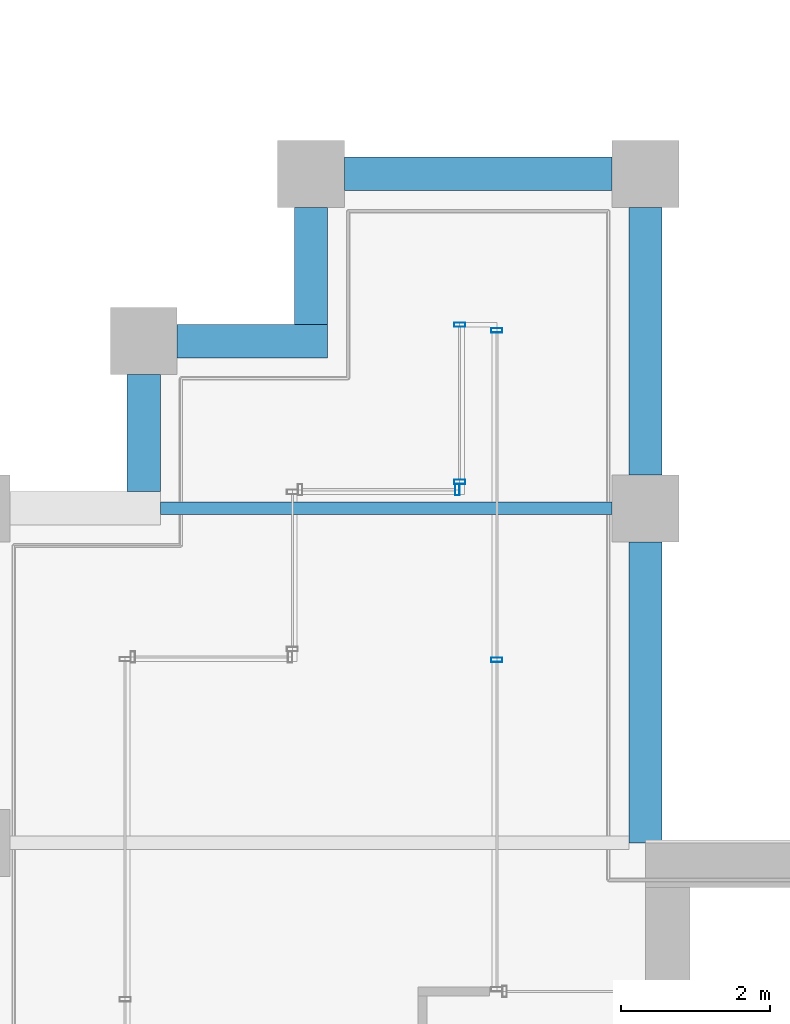
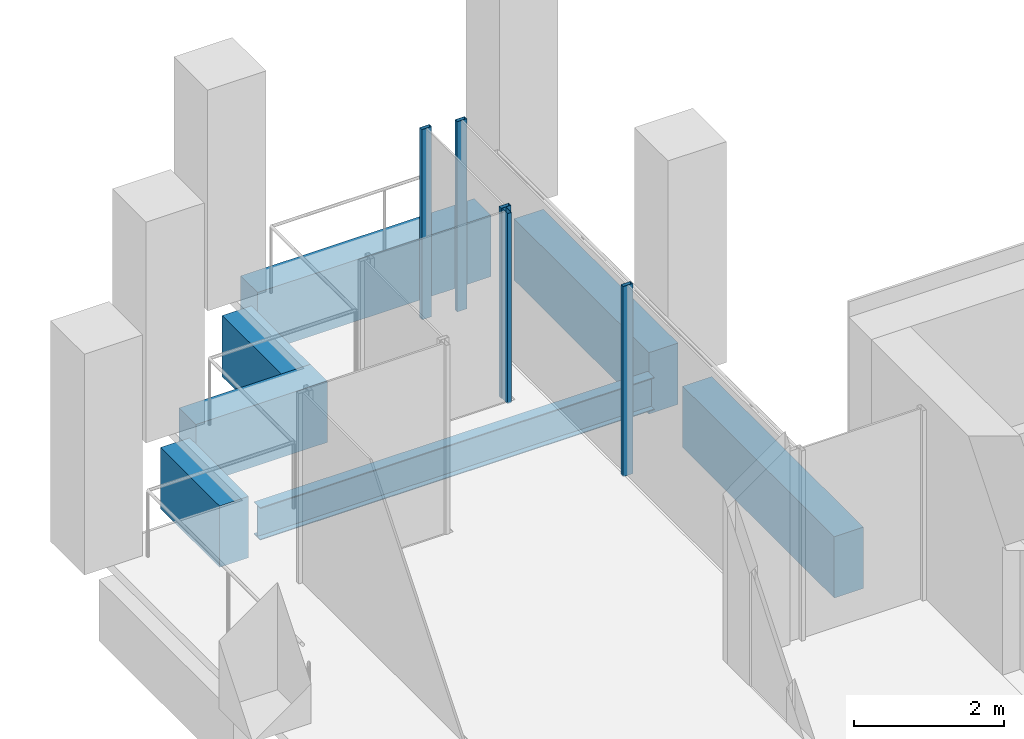
# One storey, part 33 of 40: 7 beams, 5 members, 3 elements without a shape of their own.
"""IFC4 building model written with IfcOpenShell, lengths in metres."""

from ifc_helpers import new_model, si_unit, direction, frame, origin, origin_2d, place, context, subcontext, project, spatial, rectangle, hollow_rectangle, i_section, extrude, material, material_profile, profile_set, type_object, element, aggregate, save


model = new_model("IFC4")

# Units and contexts
model_context = context("Model", 3, precision=1e-05, world=origin(), true_north=direction((0.0, 1.0)))
body_context = subcontext(model_context, "Body", "Model", "MODEL_VIEW")
ifc_project = project(units=[si_unit("LENGTHUNIT", "METRE"), si_unit("AREAUNIT", "SQUARE_METRE"), si_unit("VOLUMEUNIT", "CUBIC_METRE"), si_unit("PLANEANGLEUNIT", "RADIAN"), si_unit("MASSUNIT", "GRAM", prefix="KILO")], contexts=[model_context])

# Site, building, storey
site_placement = place(None, origin())
site = spatial("IfcSite", under=ifc_project, at=site_placement, CompositionType="ELEMENT")
building_placement = place(site_placement, origin())
building = spatial("IfcBuilding", under=site, at=building_placement, Name="Altepetl Exchange Towers", CompositionType="ELEMENT")
storey_placement = place(building_placement, frame((0.0, 0.0, 169.0)))
storey = spatial("IfcBuildingStorey", under=building, at=storey_placement, Name="L42", CompositionType="ELEMENT", Elevation=169.0)

# Beam
ifc_material_1 = material(Name="Steel S355", Category="steel")
ifc_material_profile_1 = material_profile(ifc_material_1, i_section(OverallWidth=0.166015625, OverallDepth=0.529052734375, WebThickness=0.009765625, FlangeThickness=0.013671875, at=origin_2d()), Name="W21X50")
ifc_profile_set_1 = profile_set([ifc_material_profile_1], Name="Steel S355")
beam_type_1 = type_object("IfcBeamType", Name="Floor beam W21X50", PredefinedType="BEAM", material=ifc_profile_set_1)
beam_1_placement = place(storey_placement, frame((96.97509765625, 54.0, -0.41455078125), z_axis=(1.0, 0.0, 0.0), x_axis=(0.0, 1.0, 0.0)))
element("IfcBeam", 1, at=beam_1_placement, inside=storey, type_object=beam_type_1, Name="bm:B:L42:007", PredefinedType="BEAM", context=body_context, shape_type="SweptSolid", body=[
    extrude(i_section(OverallWidth=0.166015625, OverallDepth=0.529052734375, WebThickness=0.009765625, FlangeThickness=0.013671875, at=origin_2d()), origin(), (0.0, 0.0, 1.0), 6.074951171875),
])

# Curtain wall, members
ifc_material_2 = material(Name="Aluminium 6063-T6 glazing", Category="aluminium")
curtain_wall_type = type_object("IfcCurtainWallType", Name="Loggia glazing system", PredefinedType="NOTDEFINED", material=ifc_material_2)
curtain_wall_1_placement = place(storey_placement, origin())
curtain_wall_1 = element("IfcCurtainWall", 2, at=curtain_wall_1_placement, inside=storey, type_object=curtain_wall_type, Name="CW1 run", PredefinedType="NOTDEFINED")
ifc_material_3 = material(Name="Aluminium 6063-T6", Category="aluminium")
ifc_material_profile_2 = material_profile(ifc_material_3, hollow_rectangle(XDim=0.06005859375, YDim=0.14990234375, WallThickness=0.0029296875, at=origin_2d()), Name="Mullion 60x150 aluminium")
ifc_profile_set_2 = profile_set([ifc_material_profile_2], Name="Aluminium 6063-T6")
member_type = type_object("IfcMemberType", Name="Mullion 60x150 aluminium", PredefinedType="MULLION", material=ifc_profile_set_2)
member_1_placement = place(storey_placement, frame((101.5, 51.96240234375, 0.0), z_axis=(0.0, 0.0, 1.0), x_axis=(0.0, 1.0, 0.0)))
member_1 = element("IfcMember", 3, at=member_1_placement, type_object=member_type, Name="MU1 mullion", PredefinedType="MULLION", context=body_context, shape_type="SweptSolid", body=[
    extrude(hollow_rectangle(XDim=0.06005859375, YDim=0.14990234375, WallThickness=0.0029296875, at=origin_2d()), origin(), (0.0, 0.0, 1.0), 3.10009765625),
])
member_2_placement = place(storey_placement, frame((101.5, 56.39501953125, 0.0), z_axis=(0.0, 0.0, 1.0), x_axis=(0.0, 1.0, 0.0)))
member_2 = element("IfcMember", 4, at=member_2_placement, type_object=member_type, Name="MU1 mullion", PredefinedType="MULLION", context=body_context, shape_type="SweptSolid", body=[
    extrude(hollow_rectangle(XDim=0.06005859375, YDim=0.14990234375, WallThickness=0.0029296875, at=origin_2d()), origin(), (0.0, 0.0, 1.0), 3.10009765625),
])
aggregate(curtain_wall_1, [member_1, member_2])

curtain_wall_2_placement = place(storey_placement, origin())
curtain_wall_2 = element("IfcCurtainWall", 5, at=curtain_wall_2_placement, inside=storey, type_object=curtain_wall_type, Name="CW1 run", PredefinedType="NOTDEFINED")
member_3_placement = place(storey_placement, frame((101.0, 56.469970703125, 0.0), z_axis=(0.0, 0.0, 1.0), x_axis=(0.0, -1.0, 0.0)))
member_3 = element("IfcMember", 6, at=member_3_placement, type_object=member_type, Name="MU1 mullion", PredefinedType="MULLION", context=body_context, shape_type="SweptSolid", body=[
    extrude(hollow_rectangle(XDim=0.06005859375, YDim=0.14990234375, WallThickness=0.0029296875, at=origin_2d()), origin(), (0.0, 0.0, 1.0), 3.10009765625),
])
member_4_placement = place(storey_placement, frame((101.0, 54.35498046875, 0.0), z_axis=(0.0, 0.0, 1.0), x_axis=(0.0, -1.0, 0.0)))
member_4 = element("IfcMember", 7, at=member_4_placement, type_object=member_type, Name="MU1 mullion", PredefinedType="MULLION", context=body_context, shape_type="SweptSolid", body=[
    extrude(hollow_rectangle(XDim=0.06005859375, YDim=0.14990234375, WallThickness=0.0029296875, at=origin_2d()), origin(), (0.0, 0.0, 1.0), 3.10009765625),
])
aggregate(curtain_wall_2, [member_3, member_4])

# Curtain wall, member
curtain_wall_3_placement = place(storey_placement, origin())
curtain_wall_3 = element("IfcCurtainWall", 8, at=curtain_wall_3_placement, inside=storey, type_object=curtain_wall_type, Name="CW1 run", PredefinedType="NOTDEFINED")
member_5_placement = place(storey_placement, frame((100.969970703125, 54.25, 0.0), z_axis=(0.0, 0.0, 1.0), x_axis=(-1.0, 0.0, 0.0)))
member_5 = element("IfcMember", 9, at=member_5_placement, type_object=member_type, Name="MU1 mullion", PredefinedType="MULLION", context=body_context, shape_type="SweptSolid", body=[
    extrude(hollow_rectangle(XDim=0.06005859375, YDim=0.14990234375, WallThickness=0.0029296875, at=origin_2d()), origin(), (0.0, 0.0, 1.0), 3.10009765625),
])
aggregate(curtain_wall_3, [member_5])

# Beams
ifc_material_4 = material(Name="Concrete C50/60 precast with cantera rosa facing", Category="concrete")
ifc_material_profile_3 = material_profile(ifc_material_4, rectangle(XDim=0.449951171875, YDim=1.0, at=origin_2d()), Name="450 x 1000")
ifc_profile_set_3 = profile_set([ifc_material_profile_3], Name="Concrete C50/60 precast with cantera rosa facing")
beam_type_2 = type_object("IfcBeamType", Name="Spandrel beam 450x1000 cantera rosa", PredefinedType="SPANDREL", material=ifc_profile_set_3)
beam_2_placement = place(storey_placement, frame((103.5, 49.5, -0.64990234375), z_axis=(0.0, 1.0, 0.0), x_axis=(-1.0, 0.0, 0.0)))
element("IfcBeam", 10, at=beam_2_placement, inside=storey, type_object=beam_type_2, Name="sp:B:L42:008", PredefinedType="SPANDREL", context=body_context, shape_type="SweptSolid", body=[
    extrude(rectangle(XDim=0.449951171875, YDim=1.0, at=origin_2d()), origin(), (0.0, 0.0, 1.0), 4.050048828125),
])
for number, where, z_axis, x_axis, name in (
    (11, (103.5, 54.449951171875, -0.64990234375), (0.0, 1.0, 0.0), (-1.0, 0.0, 0.0), "sp:B:L42:009"),
    (12, (103.050048828125, 58.5, -0.64990234375), (-1.0, 0.0, 0.0), (0.0, -1.0, 0.0), "sp:B:L42:010"),
):
    element("IfcBeam", number, at=place(storey_placement, frame(where, z_axis=z_axis, x_axis=x_axis)), inside=storey, type_object=beam_type_2, Name=name, PredefinedType="SPANDREL", context=body_context, shape_type="SweptSolid", body=[
        extrude(rectangle(XDim=0.449951171875, YDim=1.0, at=origin_2d()), origin(), (0.0, 0.0, 1.0), 3.60009765625),
    ])
beam_3_placement = place(storey_placement, frame((99.0, 58.050048828125, -0.64990234375), z_axis=(0.0, -1.0, 0.0), x_axis=(1.0, 0.0, 0.0)))
element("IfcBeam", 13, at=beam_3_placement, inside=storey, type_object=beam_type_2, Name="sp:B:L42:011", PredefinedType="SPANDREL", context=body_context, shape_type="SweptSolid", body=[
    extrude(rectangle(XDim=0.449951171875, YDim=1.0, at=origin_2d()), origin(), (0.0, 0.0, 1.0), 1.574951171875),
])
beam_4_placement = place(storey_placement, frame((99.22509765625, 56.25, -0.64990234375), z_axis=(-1.0, 0.0, 0.0), x_axis=(0.0, -1.0, 0.0)))
element("IfcBeam", 14, at=beam_4_placement, inside=storey, type_object=beam_type_2, Name="sp:B:L42:012", PredefinedType="SPANDREL", context=body_context, shape_type="SweptSolid", body=[
    extrude(rectangle(XDim=0.449951171875, YDim=1.0, at=origin_2d()), origin(), (0.0, 0.0, 1.0), 2.025146484375),
])
beam_5_placement = place(storey_placement, frame((96.75, 55.800048828125, -0.64990234375), z_axis=(0.0, -1.0, 0.0), x_axis=(1.0, 0.0, 0.0)))
element("IfcBeam", 15, at=beam_5_placement, inside=storey, type_object=beam_type_2, Name="sp:B:L42:013", PredefinedType="SPANDREL", context=body_context, shape_type="SweptSolid", body=[
    extrude(rectangle(XDim=0.449951171875, YDim=1.0, at=origin_2d()), origin(), (0.0, 0.0, 1.0), 1.574951171875),
])

save(model, "model.ifc")
